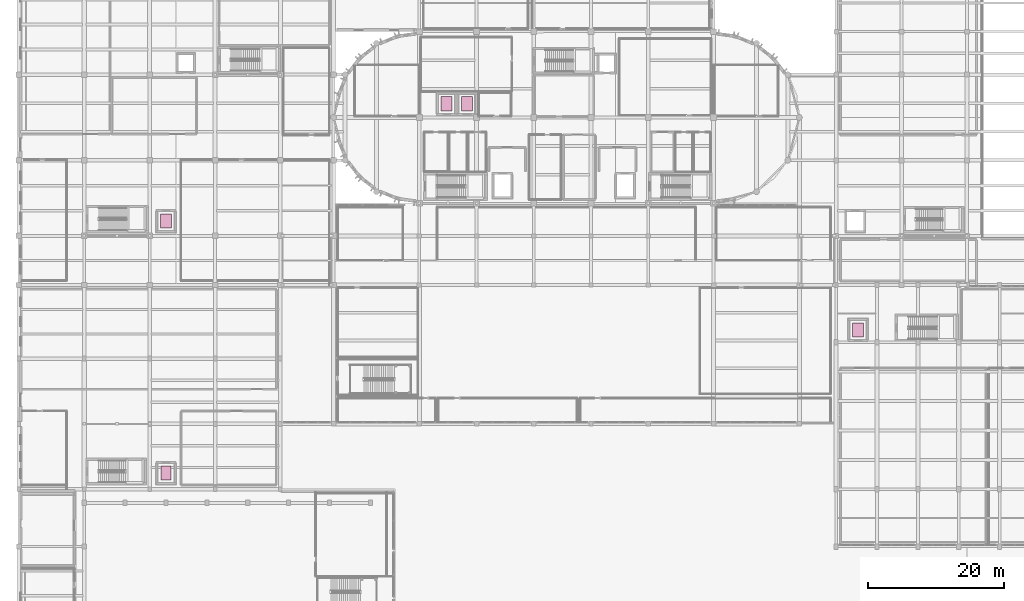
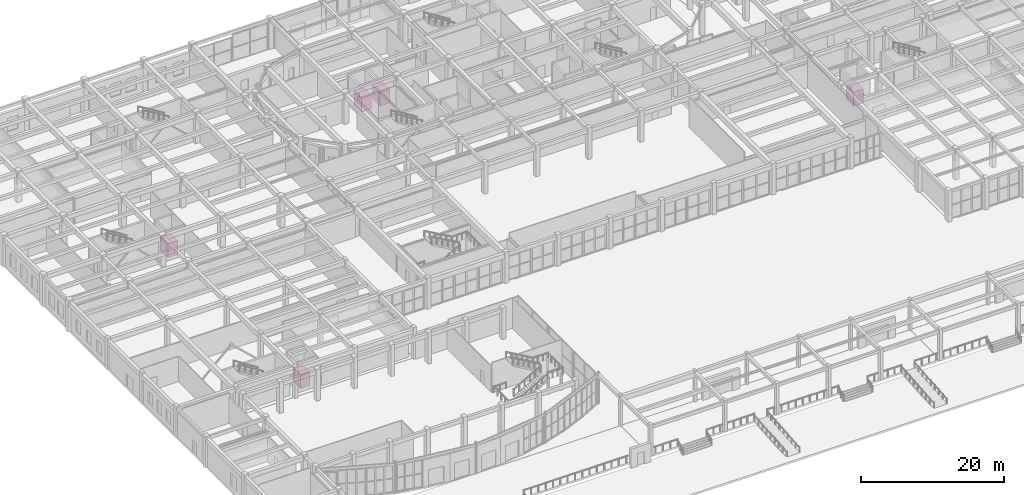
# One storey, part 98 of 98: 5 transport elements.
"""IFC4 building model written with IfcOpenShell, lengths in metres."""

from ifc_helpers import new_model, si_unit, direction, frame, origin, origin_2d, place, context, subcontext, project, spatial, rectangle, extrude, material, type_object, element, save


model = new_model("IFC4")

# Units and contexts
model_context = context("Model", 3, precision=1e-05, world=origin(), true_north=direction((0.0, 1.0)))
body_context = subcontext(model_context, "Body", "Model", "MODEL_VIEW")
ifc_project = project(units=[si_unit("LENGTHUNIT", "METRE"), si_unit("AREAUNIT", "SQUARE_METRE"), si_unit("VOLUMEUNIT", "CUBIC_METRE"), si_unit("PLANEANGLEUNIT", "RADIAN"), si_unit("MASSUNIT", "GRAM", prefix="KILO")], contexts=[model_context])

# Site, building, storey
site_placement = place(None, origin())
site = spatial("IfcSite", under=ifc_project, at=site_placement, CompositionType="ELEMENT")
building_placement = place(site_placement, origin())
building = spatial("IfcBuilding", under=site, at=building_placement, Name="Tarnavel Promenade Courthouse", CompositionType="ELEMENT")
storey_placement = place(building_placement, origin())
storey = spatial("IfcBuildingStorey", under=building, at=storey_placement, Name="L01", CompositionType="ELEMENT", Elevation=0.0)

# Transport elements
ifc_material = material(Name="Brushed Stainless Steel and Bronze Lift Car Assembly", Category="steel")
transport_element_type_1 = type_object("IfcTransportElementType", Name="Electric Traction Lift 1.50x2.10m 1350kg", PredefinedType="ELEVATOR", material=ifc_material)
transport_element_placement = place(storey_placement, frame((21.60009765625, 39.60009765625, 0.0), z_axis=(0.0, 0.0, 1.0), x_axis=(1.0, 0.0, 0.0)))
element("IfcTransportElement", 1, at=transport_element_placement, inside=storey, type_object=transport_element_type_1, Name="Law Library Passenger and Book Lift", PredefinedType="ELEVATOR", context=body_context, shape_type="SweptSolid", body=[
    extrude(rectangle(XDim=1.5, YDim=2.10009765625, at=origin_2d()), origin(), (0.0, 0.0, 1.0), 2.39990234375),
])
transport_element_type_2 = type_object("IfcTransportElementType", Name="Electric Traction Lift 1.60x2.10m 1350kg", PredefinedType="ELEVATOR", material=ifc_material)
for number, where, z_axis, x_axis, name in (
    (2, (62.800048828125, 93.800048828125, 0.0), (0.0, 0.0, 1.0), (1.0, 0.0, 0.0), "Public Concourse Passenger Lift 1"),
    (3, (65.800048828125, 93.800048828125, 0.0), (0.0, 0.0, 1.0), (1.0, 0.0, 0.0), "Public Concourse Passenger Lift 2"),
    (4, (21.60009765625, 76.60009765625, 0.0), (0.0, 0.0, 1.0), (1.0, 0.0, 0.0), "Trial Courts Public Passenger Lift 3"),
    (5, (123.199951171875, 60.60009765625, 0.0), (0.0, 0.0, 1.0), (1.0, 0.0, 0.0), "Ceremonial Pavilion Public Lift 4"),
):
    element("IfcTransportElement", number, at=place(storey_placement, frame(where, z_axis=z_axis, x_axis=x_axis)), inside=storey, type_object=transport_element_type_2, Name=name, PredefinedType="ELEVATOR", context=body_context, shape_type="SweptSolid", body=[
        extrude(rectangle(XDim=1.60009765625, YDim=2.10009765625, at=origin_2d()), origin(), (0.0, 0.0, 1.0), 2.39990234375),
    ])

save(model, "model.ifc")
